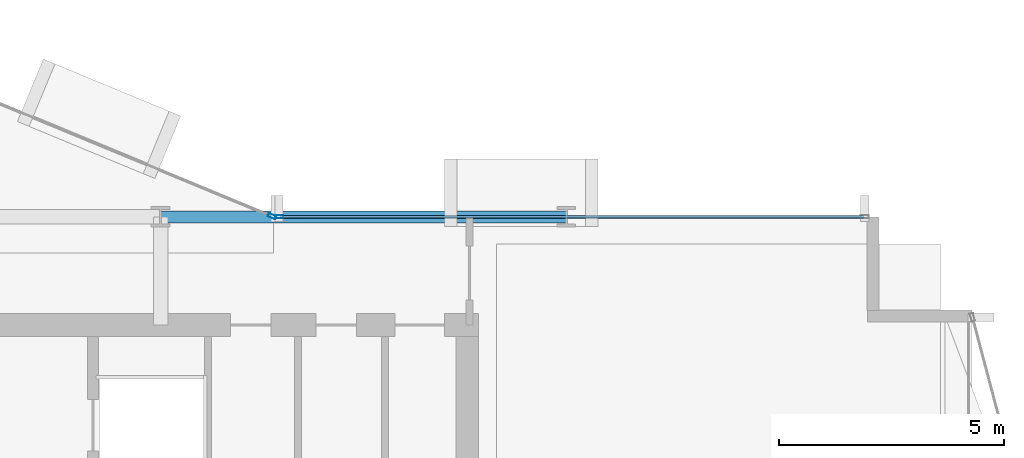
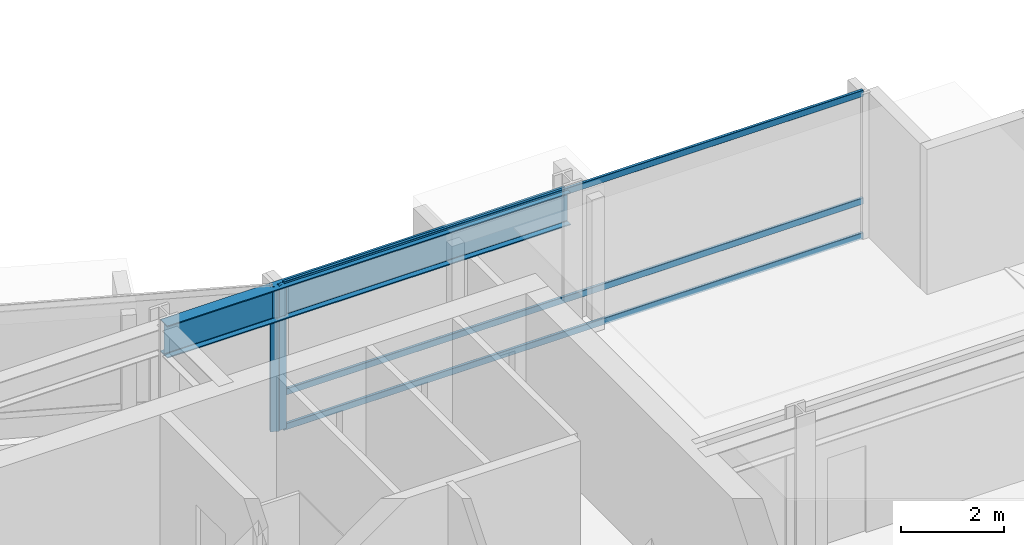
# One storey, part 13 of 29: 5 members, 1 beam, 2 elements without a shape of their own.
"""IFC4 building model written with IfcOpenShell, lengths in metres."""

from ifc_helpers import new_model, si_unit, direction, frame, origin, origin_2d, place, context, subcontext, project, spatial, hollow_rectangle, i_section, extrude, material, layer, layer_set, material_profile, profile_set, type_object, element, aggregate, save


model = new_model("IFC4")

# Units and contexts
model_context = context("Model", 3, precision=1e-05, world=origin(), true_north=direction((0.0, 1.0)))
body_context = subcontext(model_context, "Body", "Model", "MODEL_VIEW")
ifc_project = project(units=[si_unit("LENGTHUNIT", "METRE"), si_unit("AREAUNIT", "SQUARE_METRE"), si_unit("VOLUMEUNIT", "CUBIC_METRE"), si_unit("PLANEANGLEUNIT", "RADIAN"), si_unit("MASSUNIT", "GRAM", prefix="KILO")], contexts=[model_context])

# Site, building, storey
site_placement = place(None, origin())
site = spatial("IfcSite", under=ifc_project, at=site_placement, CompositionType="ELEMENT")
building_placement = place(site_placement, origin())
building = spatial("IfcBuilding", under=site, at=building_placement, Name="Solvaryn Broadcast Tower", CompositionType="ELEMENT")
storey_placement = place(building_placement, frame((0.0, 0.0, 128.5)))
storey = spatial("IfcBuildingStorey", under=building, at=storey_placement, Name="L31", CompositionType="ELEMENT", Elevation=128.5)

# Beam
ifc_material_1 = material(Name="Steel ASTM A992 Grade 50", Category="steel")
ifc_material_profile_1 = material_profile(ifc_material_1, i_section(OverallWidth=0.26708984375, OverallDepth=0.76611328125, WebThickness=0.014892578125, FlangeThickness=0.023681640625, FilletRadius=0.01806640625, at=origin_2d()))
ifc_profile_set_1 = profile_set([ifc_material_profile_1], Name="Steel ASTM A992 Grade 50")
beam_type = type_object("IfcBeamType", Name="BM-SP2-W30X124", PredefinedType="USERDEFINED", material=ifc_profile_set_1)
beam_placement = place(storey_placement, frame((36.0, 27.0, 3.037109375), z_axis=(1.0, 0.0, 0.0), x_axis=(0.0, 1.0, 0.0)))
element("IfcBeam", 1, at=beam_placement, inside=storey, type_object=beam_type, Name="L31 Spandrel Beam X (36-45 @ Y=27)", ObjectType="SPANDREL", PredefinedType="USERDEFINED", context=body_context, shape_type="SweptSolid", body=[
    extrude(i_section(OverallWidth=0.26708984375, OverallDepth=0.76611328125, WebThickness=0.014892578125, FlangeThickness=0.023681640625, FilletRadius=0.01806640625, at=origin_2d()), origin(), (0.0, 0.0, 1.0), 9.0),
])

# Curtain wall, member
ifc_material_2 = material(Name="Aluminium and Terracotta Unitised Curtain Wall", Category="masonry")
ifc_layer = layer(ifc_material_2, 0.199951171875)
ifc_layer_set = layer_set([ifc_layer], Name="CW-SYS2-LOWMID")
curtain_wall_type = type_object("IfcCurtainWallType", Name="CW-SYS2-LOWMID", PredefinedType="NOTDEFINED", material=ifc_layer_set)
curtain_wall_1_placement = place(storey_placement, origin())
curtain_wall_1 = element("IfcCurtainWall", 2, at=curtain_wall_1_placement, inside=storey, type_object=curtain_wall_type, Name="L31 Curtain Wall CN1", PredefinedType="NOTDEFINED")
ifc_material_3 = material(Name="Anodised Aluminium 6063-T6", Category="aluminium")
ifc_material_profile_2 = material_profile(ifc_material_3, hollow_rectangle(XDim=0.074951171875, YDim=0.179931640625, WallThickness=0.00390625, InnerFilletRadius=0.00390625, OuterFilletRadius=0.008056640625, at=origin_2d()))
ifc_profile_set_2 = profile_set([ifc_material_profile_2], Name="Anodised Aluminium 6063-T6")
member_type_1 = type_object("IfcMemberType", Name="CW-MUL-180", PredefinedType="MULLION", material=ifc_profile_set_2)
member_1_placement = place(storey_placement, frame((38.47216796875, 27.011474609375, 0.0), z_axis=(0.0, 0.0, 1.0), x_axis=(-0.382646127145, -0.923894983957, 0.0)))
member_1 = element("IfcMember", 3, at=member_1_placement, type_object=member_type_1, Name="CWS2 mullion 1", PredefinedType="MULLION", context=body_context, shape_type="SweptSolid", body=[
    extrude(hollow_rectangle(XDim=0.074951171875, YDim=0.179931640625, WallThickness=0.00390625, InnerFilletRadius=0.00390625, OuterFilletRadius=0.008056640625, at=origin_2d()), origin(), (0.0, 0.0, 1.0), 3.419921875),
])
aggregate(curtain_wall_1, [member_1])

# Curtain wall, members
curtain_wall_2_placement = place(storey_placement, origin())
curtain_wall_2 = element("IfcCurtainWall", 4, at=curtain_wall_2_placement, inside=storey, type_object=curtain_wall_type, Name="L31 Curtain Wall IH", PredefinedType="NOTDEFINED")
member_2_placement = place(storey_placement, frame((38.6298828125, 27.0, 0.0), z_axis=(0.0, 0.0, 1.0), x_axis=(0.0, 1.0, 0.0)))
member_2 = element("IfcMember", 5, at=member_2_placement, type_object=member_type_1, Name="CWS2 mullion 1", PredefinedType="MULLION", context=body_context, shape_type="SweptSolid", body=[
    extrude(hollow_rectangle(XDim=0.074951171875, YDim=0.179931640625, WallThickness=0.00390625, InnerFilletRadius=0.00390625, OuterFilletRadius=0.008056640625, at=origin_2d()), origin(), (0.0, 0.0, 1.0), 3.419921875),
])
ifc_material_4 = material(Name="Anodised Aluminium 6063-T6", Category="aluminium")
ifc_material_profile_3 = material_profile(ifc_material_4, hollow_rectangle(XDim=0.06494140625, YDim=0.14990234375, WallThickness=0.00390625, InnerFilletRadius=0.00390625, OuterFilletRadius=0.008056640625, at=origin_2d()))
ifc_profile_set_3 = profile_set([ifc_material_profile_3], Name="Anodised Aluminium 6063-T6")
member_type_2 = type_object("IfcMemberType", Name="CW-TRN-150", PredefinedType="USERDEFINED", material=ifc_profile_set_3)
member_3_placement = place(storey_placement, frame((38.659912109375, 27.0, 0.030029296875), z_axis=(1.0, 0.0, 0.0), x_axis=(0.0, 1.0, 0.0)))
member_3 = element("IfcMember", 6, at=member_3_placement, type_object=member_type_2, Name="CWS2 transom 1.1", ObjectType="TRANSOM", PredefinedType="USERDEFINED", context=body_context, shape_type="SweptSolid", body=[
    extrude(hollow_rectangle(XDim=0.06494140625, YDim=0.14990234375, WallThickness=0.00390625, InnerFilletRadius=0.00390625, OuterFilletRadius=0.008056640625, at=origin_2d()), origin(), (0.0, 0.0, 1.0), 12.93017578125),
])
member_4_placement = place(storey_placement, frame((38.659912109375, 27.0, 0.85009765625), z_axis=(1.0, 0.0, 0.0), x_axis=(0.0, 1.0, 0.0)))
member_4 = element("IfcMember", 7, at=member_4_placement, type_object=member_type_2, Name="CWS2 transom 1.2", ObjectType="TRANSOM", PredefinedType="USERDEFINED", context=body_context, shape_type="SweptSolid", body=[
    extrude(hollow_rectangle(XDim=0.06494140625, YDim=0.14990234375, WallThickness=0.00390625, InnerFilletRadius=0.00390625, OuterFilletRadius=0.008056640625, at=origin_2d()), origin(), (0.0, 0.0, 1.0), 12.93017578125),
])
member_5_placement = place(storey_placement, frame((38.659912109375, 27.0, 3.389892578125), z_axis=(1.0, 0.0, 0.0), x_axis=(0.0, 1.0, 0.0)))
member_5 = element("IfcMember", 8, at=member_5_placement, type_object=member_type_2, Name="CWS2 transom 1.3", ObjectType="TRANSOM", PredefinedType="USERDEFINED", context=body_context, shape_type="SweptSolid", body=[
    extrude(hollow_rectangle(XDim=0.06494140625, YDim=0.14990234375, WallThickness=0.00390625, InnerFilletRadius=0.00390625, OuterFilletRadius=0.008056640625, at=origin_2d()), origin(), (0.0, 0.0, 1.0), 12.93017578125),
])
aggregate(curtain_wall_2, [member_2, member_3, member_4, member_5])

save(model, "model.ifc")
